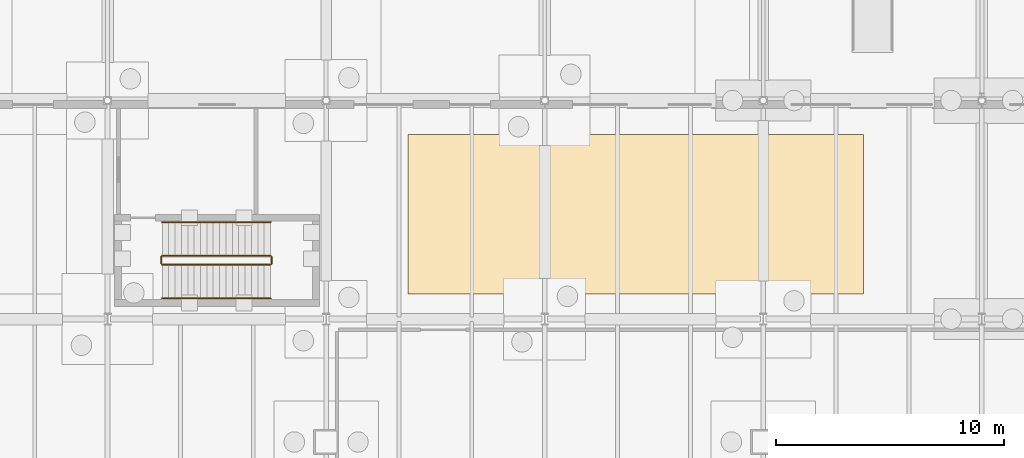
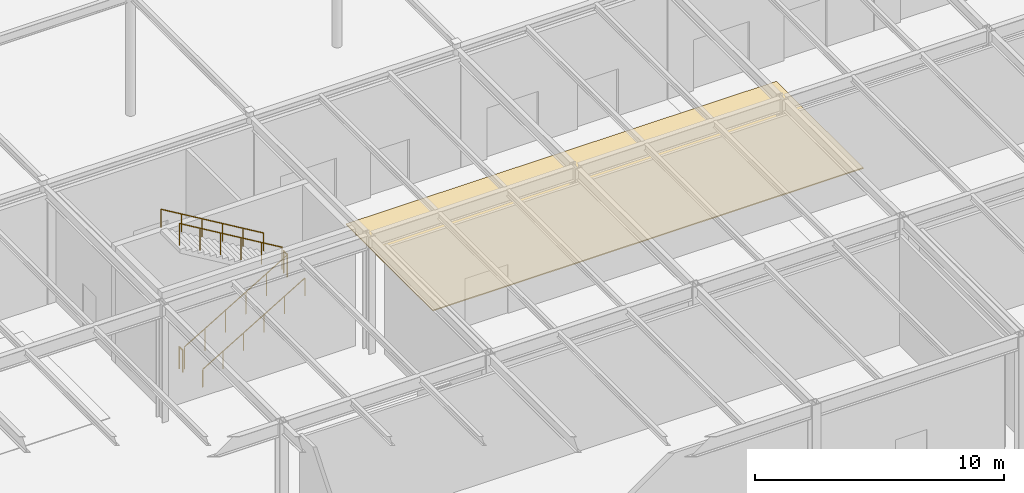
# One storey, part 136 of 142: 6 railings, 1 covering.
"""IFC4 building model written with IfcOpenShell, lengths in metres."""

from ifc_helpers import new_model, si_unit, direction, frame, origin, origin_2d, place, context, subcontext, project, spatial, polyline, circle, outline, extrude, material, layer, layer_set, type_object, element, save


model = new_model("IFC4")

# Units and contexts
model_context = context("Model", 3, precision=1e-05, world=origin(), true_north=direction((0.0, 1.0)))
body_context = subcontext(model_context, "Body", "Model", "MODEL_VIEW")
ifc_project = project(units=[si_unit("LENGTHUNIT", "METRE"), si_unit("AREAUNIT", "SQUARE_METRE"), si_unit("VOLUMEUNIT", "CUBIC_METRE"), si_unit("PLANEANGLEUNIT", "RADIAN"), si_unit("MASSUNIT", "GRAM", prefix="KILO")], contexts=[model_context])

# Site, building, storey
site_placement = place(None, origin())
site = spatial("IfcSite", under=ifc_project, at=site_placement, CompositionType="ELEMENT")
building_placement = place(site_placement, origin())
building = spatial("IfcBuilding", under=site, at=building_placement, Name="Coralgate Yard Interchange", CompositionType="ELEMENT")
storey_placement = place(building_placement, origin())
storey = spatial("IfcBuildingStorey", under=building, at=storey_placement, Name="L00", CompositionType="ELEMENT", Elevation=0.0)

# Covering
ifc_material_1 = material(Name="Heavy-duty slip-resistant granite concourse paving", Category="masonry")
ifc_layer = layer(ifc_material_1, 0.050048828125)
ifc_layer_set = layer_set([ifc_layer], Name="Heavy-duty slip-resistant granite concourse paving")
covering_type = type_object("IfcCoveringType", Name="COV-FLR2", PredefinedType="FLOORING", material=ifc_layer_set)
covering_placement = place(storey_placement, origin())
element("IfcCovering", 1, at=covering_placement, inside=storey, type_object=covering_type, Name="L00 concourse terrazzo paving zone 6", PredefinedType="FLOORING", context=body_context, shape_type="SweptSolid", body=[
    extrude(outline(polyline([(90.0, 87.5), (110.0, 87.5), (110.0, 94.5), (90.0, 94.5), (90.0, 87.5)])), origin(), (0.0, 0.0, 1.0), 0.050048828125),
])

# Railings
ifc_material_2 = material(Name="Grade 316 marine stainless steel and toughened glass balustrade", Category="steel")
railing_type_1 = type_object("IfcRailingType", Name="RLG-GD1100", PredefinedType="BALUSTRADE", material=ifc_material_2)
railing_1_placement = place(storey_placement, frame((79.199951171875, 88.7900390625, 0.166748046875)))
element("IfcRailing", 2, at=railing_1_placement, inside=storey, type_object=railing_type_1, Name="L00 ST-09 stair guard 1", PredefinedType="BALUSTRADE", context=body_context, shape_type="SweptSolid", body=[
    extrude(circle(Radius=0.02392578125, at=origin_2d()), frame((0.0, 0.0, 1.076171875), z_axis=(0.859299802514, 0.0, 0.511472237174), x_axis=(0.0, 1.0, 0.0)), (0.0, 0.0, 1.0), 5.539306640625),
    extrude(circle(Radius=0.02099609375, at=origin_2d()), origin(), (0.0, 0.0, 1.0), 1.051513671875),
    extrude(circle(Radius=0.02099609375, at=origin_2d()), frame((0.951904296875, 0.0, 0.566650390625)), (0.0, 0.0, 1.0), 1.051513671875),
    extrude(circle(Radius=0.02099609375, at=origin_2d()), frame((1.904052734375, 0.0, 1.13330078125)), (0.0, 0.0, 1.0), 1.051513671875),
    extrude(circle(Radius=0.02099609375, at=origin_2d()), frame((2.85595703125, 0.0, 1.699951171875)), (0.0, 0.0, 1.0), 1.051513671875),
    extrude(circle(Radius=0.02099609375, at=origin_2d()), frame((3.80810546875, 0.0, 2.2666015625)), (0.0, 0.0, 1.0), 1.051513671875),
    extrude(circle(Radius=0.02099609375, at=origin_2d()), frame((4.760009765625, 0.0, 2.833251953125)), (0.0, 0.0, 1.0), 1.051513671875),
])
railing_2_placement = place(storey_placement, frame((84.010009765625, 88.840087890625, 3.0)))
element("IfcRailing", 3, at=railing_2_placement, inside=storey, type_object=railing_type_1, Name="L00 ST-09 stair guard 2", PredefinedType="BALUSTRADE", context=body_context, shape_type="SweptSolid", body=[
    extrude(circle(Radius=0.02392578125, at=origin_2d()), frame((0.0, 0.0, 1.076171875), z_axis=(0.0, 1.0, 0.0), x_axis=(-1.0, 0.0, 0.0)), (0.0, 0.0, 1.0), 0.289794921875),
    extrude(circle(Radius=0.02099609375, at=origin_2d()), origin(), (0.0, 0.0, 1.0), 1.051513671875),
    extrude(circle(Radius=0.02099609375, at=origin_2d()), frame((0.0, 0.289794921875, 0.0)), (0.0, 0.0, 1.0), 1.051513671875),
])
railing_3_placement = place(storey_placement, frame((83.9599609375, 89.179931640625, 3.166748046875)))
element("IfcRailing", 4, at=railing_3_placement, inside=storey, type_object=railing_type_1, Name="L00 ST-09 stair guard 3", PredefinedType="BALUSTRADE", context=body_context, shape_type="SweptSolid", body=[
    extrude(circle(Radius=0.02392578125, at=origin_2d()), frame((0.0, 0.0, 1.076171875), z_axis=(-0.859299802514, 0.0, 0.511472237174), x_axis=(0.0, -1.0, 0.0)), (0.0, 0.0, 1.0), 5.539306640625),
    extrude(circle(Radius=0.02099609375, at=origin_2d()), origin(), (0.0, 0.0, 1.0), 1.051513671875),
    extrude(circle(Radius=0.02099609375, at=origin_2d()), frame((-0.951904296875, 0.0, 0.566650390625)), (0.0, 0.0, 1.0), 1.051513671875),
    extrude(circle(Radius=0.02099609375, at=origin_2d()), frame((-1.904052734375, 0.0, 1.13330078125)), (0.0, 0.0, 1.0), 1.051513671875),
    extrude(circle(Radius=0.02099609375, at=origin_2d()), frame((-2.85595703125, 0.0, 1.699951171875)), (0.0, 0.0, 1.0), 1.051513671875),
    extrude(circle(Radius=0.02099609375, at=origin_2d()), frame((-3.80810546875, 0.0, 2.2666015625)), (0.0, 0.0, 1.0), 1.051513671875),
    extrude(circle(Radius=0.02099609375, at=origin_2d()), frame((-4.760009765625, 0.0, 2.833251953125)), (0.0, 0.0, 1.0), 1.051513671875),
])
railing_4_placement = place(storey_placement, frame((79.14990234375, 88.840087890625, 0.0)))
element("IfcRailing", 5, at=railing_4_placement, inside=storey, type_object=railing_type_1, Name="L00 ST-09 stair guard 4", PredefinedType="BALUSTRADE", context=body_context, shape_type="SweptSolid", body=[
    extrude(circle(Radius=0.02392578125, at=origin_2d()), frame((0.0, 0.0, 1.076171875), z_axis=(0.0, 1.0, 0.0), x_axis=(-1.0, 0.0, 0.0)), (0.0, 0.0, 1.0), 0.289794921875),
    extrude(circle(Radius=0.02099609375, at=origin_2d()), origin(), (0.0, 0.0, 1.0), 1.051513671875),
    extrude(circle(Radius=0.02099609375, at=origin_2d()), frame((0.0, 0.289794921875, 0.0)), (0.0, 0.0, 1.0), 1.051513671875),
])
ifc_material_3 = material(Name="Grade 316 marine stainless steel", Category="steel")
railing_type_2 = type_object("IfcRailingType", Name="RLG-HR900", PredefinedType="HANDRAIL", material=ifc_material_3)
railing_5_placement = place(storey_placement, frame((79.199951171875, 87.31005859375, 0.166748046875)))
element("IfcRailing", 6, at=railing_5_placement, inside=storey, type_object=railing_type_2, Name="L00 ST-09 stair handrail 1", PredefinedType="HANDRAIL", context=body_context, shape_type="SweptSolid", body=[
    extrude(circle(Radius=0.02392578125, at=origin_2d()), frame((0.0, 0.0, 0.8759765625), z_axis=(0.859299802514, 0.0, 0.511472237174), x_axis=(0.0, 1.0, 0.0)), (0.0, 0.0, 1.0), 5.539306640625),
    extrude(circle(Radius=0.02099609375, at=origin_2d()), origin(), (0.0, 0.0, 1.0), 0.851318359375),
    extrude(circle(Radius=0.02099609375, at=origin_2d()), frame((0.951904296875, 0.0, 0.566650390625)), (0.0, 0.0, 1.0), 0.851318359375),
    extrude(circle(Radius=0.02099609375, at=origin_2d()), frame((1.904052734375, 0.0, 1.13330078125)), (0.0, 0.0, 1.0), 0.851318359375),
    extrude(circle(Radius=0.02099609375, at=origin_2d()), frame((2.85595703125, 0.0, 1.699951171875)), (0.0, 0.0, 1.0), 0.851318359375),
    extrude(circle(Radius=0.02099609375, at=origin_2d()), frame((3.80810546875, 0.0, 2.2666015625)), (0.0, 0.0, 1.0), 0.851318359375),
    extrude(circle(Radius=0.02099609375, at=origin_2d()), frame((4.760009765625, 0.0, 2.833251953125)), (0.0, 0.0, 1.0), 0.851318359375),
])
railing_6_placement = place(storey_placement, frame((83.9599609375, 90.659912109375, 3.166748046875)))
element("IfcRailing", 7, at=railing_6_placement, inside=storey, type_object=railing_type_2, Name="L00 ST-09 stair handrail 2", PredefinedType="HANDRAIL", context=body_context, shape_type="SweptSolid", body=[
    extrude(circle(Radius=0.02392578125, at=origin_2d()), frame((0.0, 0.0, 0.8759765625), z_axis=(-0.859299802514, 0.0, 0.511472237174), x_axis=(0.0, -1.0, 0.0)), (0.0, 0.0, 1.0), 5.539306640625),
    extrude(circle(Radius=0.02099609375, at=origin_2d()), origin(), (0.0, 0.0, 1.0), 0.851318359375),
    extrude(circle(Radius=0.02099609375, at=origin_2d()), frame((-0.951904296875, 0.0, 0.566650390625)), (0.0, 0.0, 1.0), 0.851318359375),
    extrude(circle(Radius=0.02099609375, at=origin_2d()), frame((-1.904052734375, 0.0, 1.13330078125)), (0.0, 0.0, 1.0), 0.851318359375),
    extrude(circle(Radius=0.02099609375, at=origin_2d()), frame((-2.85595703125, 0.0, 1.699951171875)), (0.0, 0.0, 1.0), 0.851318359375),
    extrude(circle(Radius=0.02099609375, at=origin_2d()), frame((-3.80810546875, 0.0, 2.2666015625)), (0.0, 0.0, 1.0), 0.851318359375),
    extrude(circle(Radius=0.02099609375, at=origin_2d()), frame((-4.760009765625, 0.0, 2.833251953125)), (0.0, 0.0, 1.0), 0.851318359375),
])

save(model, "model.ifc")
